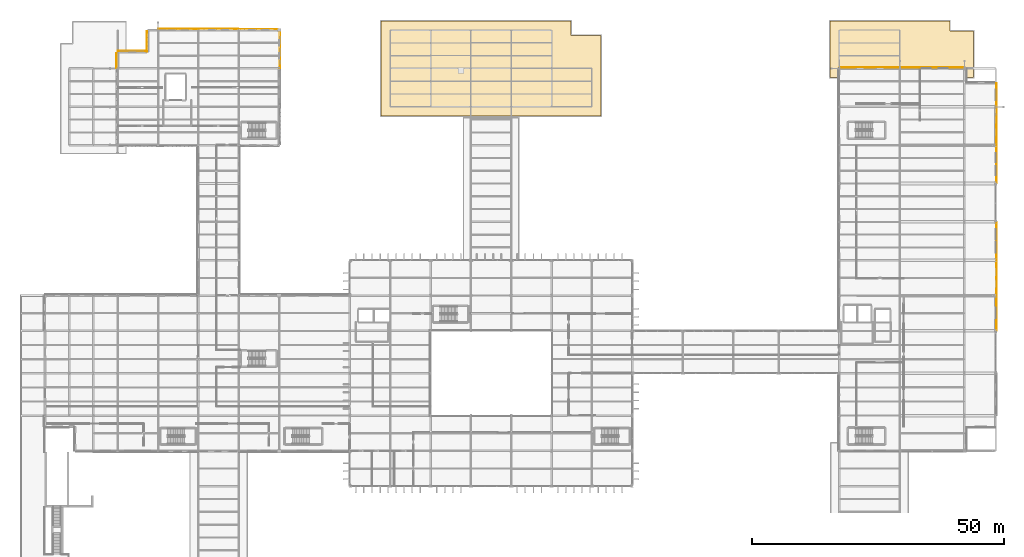
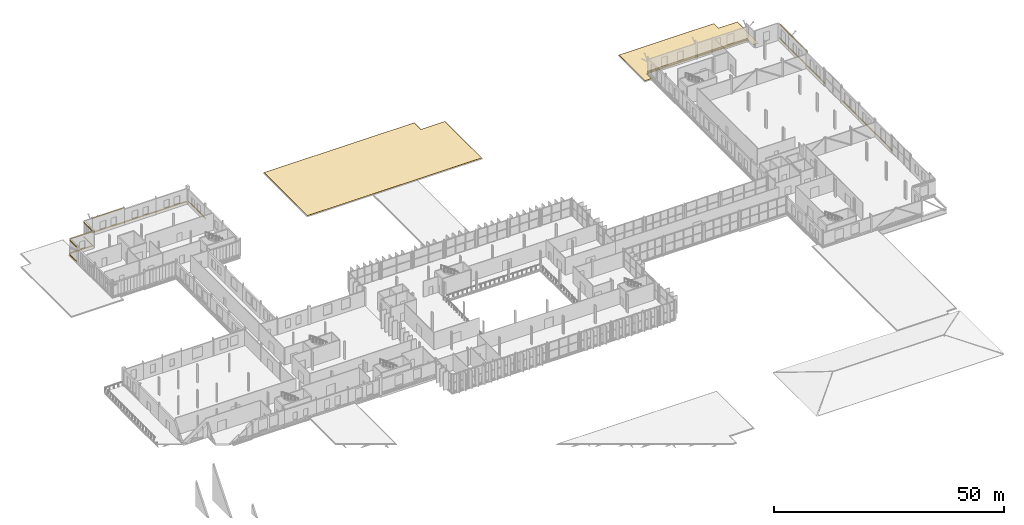
# One storey, part 120 of 120: 23 coverings.
"""IFC4 building model written with IfcOpenShell, lengths in metres."""

import ifcopenshell
import ifcopenshell.guid

model = None  # the IFC model being written
_history = None  # IfcOwnerHistory: only IFC2X3 demands one
_inside = {}  # id of a spatial element -> (the spatial element, [elements in it])
_under = {}  # id of a project, library or spatial element -> (it, [spatial elements below it])
_declared = {}  # id of a project -> (the project, [libraries it declares])
_typed = {}  # id of a type object -> (the type object, [elements of that type])
_made_of = {}  # id of a material, layer set ... -> (it, [elements and type objects made of it])


def new_model(schema):
    """Start an empty IFC model of exactly this schema.

    Asked for "IFC4X3", IfcOpenShell would pick the latest addendum, in which some entities
    have other attributes; the version numbers below select the first issue.
    IFC2X3 requires an IfcOwnerHistory on every rooted entity: one is made here for all.
    """
    global model, _history
    if schema == "IFC4X3":
        model = ifcopenshell.file(schema_version=(4, 3, 0, 0))
    else:
        model = ifcopenshell.file(schema=schema)
    _inside.clear()
    _under.clear()
    _declared.clear()
    _typed.clear()
    _made_of.clear()
    _history = None
    if model.schema == "IFC2X3":
        org = make("IfcOrganization", Name="unknown")
        user = make(
            "IfcPersonAndOrganization",
            ThePerson=make("IfcPerson", FamilyName="unknown"),
            TheOrganization=org,
        )
        app = make(
            "IfcApplication",
            ApplicationDeveloper=org,
            Version="unknown",
            ApplicationFullName="unknown",
            ApplicationIdentifier="unknown",
        )
        _history = make(
            "IfcOwnerHistory",
            OwningUser=user,
            OwningApplication=app,
            ChangeAction="ADDED",
            CreationDate=0,
        )
    return model


def make(cls, **values):
    """One entity of the class cls with the attributes given. An attribute that is None is left unset."""
    return model.create_entity(
        cls, **{name: value for name, value in values.items() if value is not None}
    )


def rooted(cls, **values):
    """An entity with a GlobalId (a new one), such as an element, a storey or a relation."""
    return make(cls, GlobalId=ifcopenshell.guid.new(), OwnerHistory=_history, **values)


def si_unit(unit_type, name, prefix=None):
    """IfcSIUnit, for example si_unit("LENGTHUNIT", "METRE", prefix="MILLI")."""
    return make("IfcSIUnit", UnitType=unit_type, Prefix=prefix, Name=name)


def assignment(units):
    """IfcUnitAssignment: the units of a project."""
    return None if units is None else make("IfcUnitAssignment", Units=units)


def point(xyz):
    """IfcCartesianPoint."""
    return None if xyz is None else make("IfcCartesianPoint", Coordinates=xyz)


def direction(xyz):
    """IfcDirection."""
    return None if xyz is None else make("IfcDirection", DirectionRatios=xyz)


def frame(location, z_axis=None, x_axis=None):
    """IfcAxis2Placement3D, a coordinate frame: its origin and axes. An axis left out is left unset."""
    return make(
        "IfcAxis2Placement3D",
        Location=point(location),
        Axis=direction(z_axis),
        RefDirection=direction(x_axis),
    )


def frame_2d(location, x_axis=None):
    """IfcAxis2Placement2D, a coordinate frame in the plane: its origin and x axis."""
    return make(
        "IfcAxis2Placement2D", Location=point(location), RefDirection=direction(x_axis)
    )


def origin():
    """The frame at (0, 0, 0) with its axes left unset."""
    return frame((0.0, 0.0, 0.0))


def origin_2d():
    """The frame at (0, 0) in the plane with its x axis left unset."""
    return frame_2d((0.0, 0.0))


def place(relative_to, where):
    """IfcLocalPlacement: puts the frame where relative to a parent placement (None: the world)."""
    return make(
        "IfcLocalPlacement", PlacementRelTo=relative_to, RelativePlacement=where
    )


def context(
    kind, dimensions, precision=None, world=None, true_north=None, identifier=None
):
    """IfcGeometricRepresentationContext, for example the 3D "Model" context."""
    return make(
        "IfcGeometricRepresentationContext",
        ContextIdentifier=identifier,
        ContextType=kind,
        CoordinateSpaceDimension=dimensions,
        Precision=precision,
        WorldCoordinateSystem=world,
        TrueNorth=true_north,
    )


def subcontext(parent, identifier, kind, view, scale=None):
    """IfcGeometricRepresentationSubContext, for example "Body" below "Model"."""
    return make(
        "IfcGeometricRepresentationSubContext",
        ContextIdentifier=identifier,
        ContextType=kind,
        ParentContext=parent,
        TargetScale=scale,
        TargetView=view,
    )


def project(units=None, contexts=None):
    """IfcProject with its units and contexts."""
    return rooted(
        "IfcProject",
        Name="project",
        RepresentationContexts=contexts,
        UnitsInContext=assignment(units),
    )


def spatial(cls, under=None, at=None, **own):
    """A site, building, storey or space (cls), placed at a placement, below another one or the project."""
    s = rooted(cls, ObjectPlacement=at, **own)
    if under is not None:
        _under.setdefault(under.id(), (under, []))[1].append(s)
    return s


def polyline(points):
    """IfcPolyline through the points."""
    return make("IfcPolyline", Points=[point(p) for p in points])


def profile(cls, at=None, kind="AREA", **sizes):
    """A parametric profile (cls). Its sizes go by their IFC names, for example OverallWidth=200.0."""
    return make(cls, ProfileType=kind, Position=at, **sizes)


def rectangle(**sizes):
    """IfcRectangleProfileDef."""
    return profile("IfcRectangleProfileDef", **sizes)


def outline(outer, holes=None, kind="AREA"):
    """IfcArbitraryClosedProfileDef: a profile drawn as a closed curve; with holes, ...WithVoids."""
    if holes is None:
        return make("IfcArbitraryClosedProfileDef", ProfileType=kind, OuterCurve=outer)
    return make(
        "IfcArbitraryProfileDefWithVoids",
        ProfileType=kind,
        OuterCurve=outer,
        InnerCurves=holes,
    )


def extrude(swept, where, along, depth):
    """IfcExtrudedAreaSolid: the profile swept, set in the frame where, extruded along a direction by depth."""
    return make(
        "IfcExtrudedAreaSolid",
        SweptArea=swept,
        Position=where,
        ExtrudedDirection=direction(along),
        Depth=depth,
    )


def shape(context_of_items, identifier, shape_type, items):
    """IfcShapeRepresentation: the items that make up one representation, for example the "Body"."""
    return make(
        "IfcShapeRepresentation",
        ContextOfItems=context_of_items,
        RepresentationIdentifier=identifier,
        RepresentationType=shape_type,
        Items=items,
    )


def material(Name=None, Category=None):
    """IfcMaterial."""
    return make("IfcMaterial", Name=Name, Category=Category)


def layer(
    of_material, thickness, ventilated=None, Name=None, Category=None, Priority=None
):
    """IfcMaterialLayer: one layer of a wall or slab, of a material (None: an air gap)."""
    return make(
        "IfcMaterialLayer",
        Material=of_material,
        LayerThickness=thickness,
        IsVentilated=ventilated,
        Name=Name,
        Category=Category,
        Priority=Priority,
    )


def layer_set(layers, Name=None):
    """IfcMaterialLayerSet."""
    return make("IfcMaterialLayerSet", MaterialLayers=layers, LayerSetName=Name)


def made_of(thing, what):
    """Note that an element or type object is made of a material, layer set ...; save() writes the relation."""
    if what is not None:
        _made_of.setdefault(what.id(), (what, []))[1].append(thing)
    return thing


def type_object(cls, material=None, **own):
    """A type object (cls), such as IfcWallType, which elements share."""
    return made_of(rooted(cls, **own), material)


def element(
    cls,
    number,
    at=None,
    inside=None,
    cuts=None,
    type_object=None,
    material=None,
    context=None,
    identifier="Body",
    shape_type=None,
    held_by="IfcProductDefinitionShape",
    body=None,
    shapes=None,
    **own,
):
    """One element of the class cls, such as IfcWall. Its Tag is "e" and its number.

    at: its placement. inside: the storey or other place that contains it. cuts: it is an
    opening in that element (IfcRelVoidsElement). A single representation is given by context,
    identifier, shape_type and body (its items); several are given by shapes. held_by: the class
    of the entity that holds the representations. save() writes the other relations.
    """
    e = rooted(cls, Tag="e%d" % number, ObjectPlacement=at, **own)
    if body is not None:
        shapes = [shape(context, identifier, shape_type, body)]
    if shapes is not None:
        e.Representation = make(held_by, Representations=shapes)
    if inside is not None:
        _inside.setdefault(inside.id(), (inside, []))[1].append(e)
    if cuts is not None:
        rooted(
            "IfcRelVoidsElement", RelatingBuildingElement=cuts, RelatedOpeningElement=e
        )
    if type_object is not None:
        _typed.setdefault(type_object.id(), (type_object, []))[1].append(e)
    return made_of(e, material)


def aggregate(whole, parts):
    """IfcRelAggregates: a whole, such as a stair, and the parts it consists of."""
    return rooted("IfcRelAggregates", RelatingObject=whole, RelatedObjects=parts)


def save(model, path):
    """Write the relations noted so far, then the file.

    IfcRelAggregates (storeys below a building ...), IfcRelContainedInSpatialStructure (elements
    in a storey), IfcRelDefinesByType, IfcRelAssociatesMaterial and IfcRelDeclares: one each for
    every whole, place, type object, material and project.
    """
    for whole, parts in _under.values():
        aggregate(whole, parts)
    for where, things in _inside.values():
        rooted(
            "IfcRelContainedInSpatialStructure",
            RelatedElements=things,
            RelatingStructure=where,
        )
    for kind, things in _typed.values():
        rooted("IfcRelDefinesByType", RelatedObjects=things, RelatingType=kind)
    for what, things in _made_of.values():
        rooted("IfcRelAssociatesMaterial", RelatedObjects=things, RelatingMaterial=what)
    for by, libraries in _declared.values():
        rooted("IfcRelDeclares", RelatingContext=by, RelatedDefinitions=libraries)
    model.write(path)


model = new_model("IFC4")

# Units and contexts
model_context = context("Model", 3, precision=1e-05, world=origin(), true_north=direction((0.0, 1.0)))
body_context = subcontext(model_context, "Body", "Model", "MODEL_VIEW")
ifc_project = project(units=[si_unit("LENGTHUNIT", "METRE"), si_unit("AREAUNIT", "SQUARE_METRE"), si_unit("VOLUMEUNIT", "CUBIC_METRE"), si_unit("PLANEANGLEUNIT", "RADIAN"), si_unit("MASSUNIT", "GRAM", prefix="KILO")], contexts=[model_context])

# Site, building, storey
site_placement = place(None, origin())
site = spatial("IfcSite", under=ifc_project, at=site_placement, CompositionType="ELEMENT")
building_placement = place(site_placement, origin())
building = spatial("IfcBuilding", under=site, at=building_placement, Name="Vekula Escarpment Museum", CompositionType="ELEMENT")
storey_placement = place(building_placement, frame((0.0, 0.0, 13.199951171875)))
storey = spatial("IfcBuildingStorey", under=building, at=storey_placement, Name="L03", CompositionType="ELEMENT", Elevation=13.199951171875)

# Coverings
ifc_material_1 = material(Name="Polychrome limestone almasik string-course band", Category="masonry")
ifc_layer_1 = layer(ifc_material_1, 0.06005859375)
ifc_layer_set_1 = layer_set([ifc_layer_1], Name="Polychrome limestone almasik string-course band")
covering_type_1 = type_object("IfcCoveringType", Name="COV-ALM-BAND", PredefinedType="CLADDING", material=ifc_layer_set_1)
for number, where, z_axis, x_axis, name in (
    (1, (198.166015625, 79.89990234375, 0.41015625), (0.0, 0.0, 1.0), (0.0, 1.0, 0.0), "Almasik Stone String Course L03-0517"),
    (2, (198.166015625, 86.89990234375, 0.41015625), (0.0, 0.0, 1.0), (0.0, 1.0, 0.0), "Almasik Stone String Course L03-0518"),
):
    element("IfcCovering", number, at=place(storey_placement, frame(where, z_axis=z_axis, x_axis=x_axis)), inside=storey, type_object=covering_type_1, Name=name, PredefinedType="CLADDING", context=body_context, shape_type="SweptSolid", body=[
        extrude(rectangle(XDim=6.8798828125, YDim=0.06005859375, at=origin_2d()), origin(), (0.0, 0.0, 1.0), 0.219970703125),
    ])
for number, where, z_axis, x_axis, name in (
    (3, (198.166015625, 94.199951171875, 0.41015625), (0.0, 0.0, 1.0), (0.0, 1.0, 0.0), "Almasik Stone String Course L03-0519"),
    (4, (198.166015625, 109.39990234375, 0.41015625), (0.0, 0.0, 1.0), (0.0, 1.0, 0.0), "Almasik Stone String Course L03-0520"),
    (5, (198.166015625, 117.0, 0.41015625), (0.0, 0.0, 1.0), (0.0, 1.0, 0.0), "Almasik Stone String Course L03-0521"),
    (6, (198.166015625, 117.0, 4.22998046875), (0.0, 0.0, 1.0), (0.0, 1.0, 0.0), "Almasik Stone String Course L03-0522"),
):
    element("IfcCovering", number, at=place(storey_placement, frame(where, z_axis=z_axis, x_axis=x_axis)), inside=storey, type_object=covering_type_1, Name=name, PredefinedType="CLADDING", context=body_context, shape_type="SweptSolid", body=[
        extrude(rectangle(XDim=7.47998046875, YDim=0.06005859375, at=origin_2d()), origin(), (0.0, 0.0, 1.0), 0.219970703125),
    ])
for number, where, z_axis, x_axis, name in (
    (7, (198.166015625, 123.156005859375, 0.41015625), (0.0, 0.0, 1.0), (0.0, 1.0, 0.0), "Almasik Stone String Course L03-0523"),
    (8, (198.166015625, 123.156005859375, 4.22998046875), (0.0, 0.0, 1.0), (0.0, 1.0, 0.0), "Almasik Stone String Course L03-0524"),
):
    element("IfcCovering", number, at=place(storey_placement, frame(where, z_axis=z_axis, x_axis=x_axis)), inside=storey, type_object=covering_type_1, Name=name, PredefinedType="CLADDING", context=body_context, shape_type="SweptSolid", body=[
        extrude(rectangle(XDim=4.592041015625, YDim=0.06005859375, at=origin_2d()), origin(), (0.0, 0.0, 1.0), 0.219970703125),
    ])
covering_1_placement = place(storey_placement, frame((185.48291015625, 128.56591796875, 0.41015625), z_axis=(0.0, 0.0, 1.0), x_axis=(1.0, 0.0, 0.0)))
element("IfcCovering", 9, at=covering_1_placement, inside=storey, type_object=covering_type_1, Name="Almasik Stone String Course L03-0528", PredefinedType="CLADDING", context=body_context, shape_type="SweptSolid", body=[
    extrude(rectangle(XDim=12.845947265625, YDim=0.06005859375, at=origin_2d()), origin(), (0.0, 0.0, 1.0), 0.219970703125),
])
covering_2_placement = place(storey_placement, frame((173.0, 128.56591796875, 0.41015625), z_axis=(0.0, 0.0, 1.0), x_axis=(1.0, 0.0, 0.0)))
element("IfcCovering", 10, at=covering_2_placement, inside=storey, type_object=covering_type_1, Name="Almasik Stone String Course L03-0529", PredefinedType="CLADDING", context=body_context, shape_type="SweptSolid", body=[
    extrude(rectangle(XDim=11.8798828125, YDim=0.06005859375, at=origin_2d()), origin(), (0.0, 0.0, 1.0), 0.219970703125),
])
covering_3_placement = place(storey_placement, frame((56.18603515625, 132.199951171875, 0.41015625), z_axis=(0.0, 0.0, 1.0), x_axis=(0.0, 1.0, 0.0)))
element("IfcCovering", 11, at=covering_3_placement, inside=storey, type_object=covering_type_1, Name="Almasik Stone String Course L03-0546", PredefinedType="CLADDING", context=body_context, shape_type="SweptSolid", body=[
    extrude(rectangle(XDim=7.47998046875, YDim=0.06005859375, at=origin_2d()), origin(), (0.0, 0.0, 1.0), 0.219970703125),
])
covering_4_placement = place(storey_placement, frame((51.91796875, 136.176025390625, 0.41015625), z_axis=(0.0, 0.0, 1.0), x_axis=(1.0, 0.0, 0.0)))
element("IfcCovering", 12, at=covering_4_placement, inside=storey, type_object=covering_type_1, Name="Almasik Stone String Course L03-0547", PredefinedType="CLADDING", context=body_context, shape_type="SweptSolid", body=[
    extrude(rectangle(XDim=7.716064453125, YDim=0.06005859375, at=origin_2d()), origin(), (0.0, 0.0, 1.0), 0.219970703125),
])
for number, where, z_axis, x_axis, name in (
    (13, (44.0, 136.216064453125, 0.41015625), (0.0, 0.0, 1.0), (1.0, 0.0, 0.0), "Almasik Stone String Course L03-0548"),
    (14, (36.0, 136.200927734375, 0.41015625), (0.0, 0.0, 1.0), (1.0, 0.0, 0.0), "Almasik Stone String Course L03-0549"),
    (15, (36.0, 136.200927734375, 4.22998046875), (0.0, 0.0, 1.0), (1.0, 0.0, 0.0), "Almasik Stone String Course L03-0550"),
):
    element("IfcCovering", number, at=place(storey_placement, frame(where, z_axis=z_axis, x_axis=x_axis)), inside=storey, type_object=covering_type_1, Name=name, PredefinedType="CLADDING", context=body_context, shape_type="SweptSolid", body=[
        extrude(rectangle(XDim=7.8798828125, YDim=0.06005859375, at=origin_2d()), origin(), (0.0, 0.0, 1.0), 0.219970703125),
    ])
for number, where, z_axis, x_axis, name in (
    (16, (29.823974609375, 133.751953125, 0.41015625), (0.0, 0.0, 1.0), (0.0, 1.0, 0.0), "Almasik Stone String Course L03-0551"),
    (17, (29.823974609375, 133.751953125, 4.22998046875), (0.0, 0.0, 1.0), (0.0, 1.0, 0.0), "Almasik Stone String Course L03-0552"),
):
    element("IfcCovering", number, at=place(storey_placement, frame(where, z_axis=z_axis, x_axis=x_axis)), inside=storey, type_object=covering_type_1, Name=name, PredefinedType="CLADDING", context=body_context, shape_type="SweptSolid", body=[
        extrude(rectangle(XDim=4.048095703125, YDim=0.06005859375, at=origin_2d()), origin(), (0.0, 0.0, 1.0), 0.219970703125),
    ])
for number, where, z_axis, x_axis, name in (
    (18, (26.923095703125, 131.884033203125, 0.41015625), (0.0, 0.0, 1.0), (1.0, 0.0, 0.0), "Almasik Stone String Course L03-0553"),
    (19, (26.923095703125, 131.884033203125, 4.22998046875), (0.0, 0.0, 1.0), (1.0, 0.0, 0.0), "Almasik Stone String Course L03-0554"),
):
    element("IfcCovering", number, at=place(storey_placement, frame(where, z_axis=z_axis, x_axis=x_axis)), inside=storey, type_object=covering_type_1, Name=name, PredefinedType="CLADDING", context=body_context, shape_type="SweptSolid", body=[
        extrude(rectangle(XDim=5.72607421875, YDim=0.06005859375, at=origin_2d()), origin(), (0.0, 0.0, 1.0), 0.219970703125),
    ])
for number, where, z_axis, x_axis, name in (
    (20, (23.799072265625, 129.93701171875, 0.41015625), (0.0, 0.0, 1.0), (0.0, 1.0, 0.0), "Almasik Stone String Course L03-0555"),
    (21, (23.799072265625, 129.93701171875, 4.22998046875), (0.0, 0.0, 1.0), (0.0, 1.0, 0.0), "Almasik Stone String Course L03-0556"),
):
    element("IfcCovering", number, at=place(storey_placement, frame(where, z_axis=z_axis, x_axis=x_axis)), inside=storey, type_object=covering_type_1, Name=name, PredefinedType="CLADDING", context=body_context, shape_type="SweptSolid", body=[
        extrude(rectangle(XDim=2.9541015625, YDim=0.06005859375, at=origin_2d()), origin(), (0.0, 0.0, 1.0), 0.219970703125),
    ])
ifc_material_2 = material(Name="Standing-seam patinated copper roofing", Category="metal")
ifc_layer_2 = layer(ifc_material_2, 0.06005859375)
ifc_layer_set_2 = layer_set([ifc_layer_2], Name="Standing-seam patinated copper roofing")
covering_type_2 = type_object("IfcCoveringType", Name="COV-ROOF-COPPER", PredefinedType="ROOFING", material=ifc_layer_set_2)
covering_5_placement = place(storey_placement, origin())
element("IfcCovering", 22, at=covering_5_placement, inside=storey, type_object=covering_type_2, Name="Overhanging Eave Roof Covering R-L03-V2N", PredefinedType="ROOFING", context=body_context, shape_type="SweptSolid", body=[
    extrude(outline(polyline([(76.179931640625, 137.820068359375), (113.820068359375, 137.820068359375), (113.820068359375, 134.931884765625), (119.820068359375, 134.931884765625), (119.820068359375, 118.97998046875), (76.179931640625, 118.97998046875), (76.179931640625, 137.820068359375)])), origin(), (0.0, 0.0, 1.0), 0.06005859375),
])
covering_6_placement = place(storey_placement, origin())
element("IfcCovering", 23, at=covering_6_placement, inside=storey, type_object=covering_type_2, Name="Overhanging Eave Roof Covering R-L03-V3N0", PredefinedType="ROOFING", context=body_context, shape_type="SweptSolid", body=[
    extrude(outline(polyline([(165.179931640625, 137.820068359375), (188.907958984375, 137.820068359375), (188.907958984375, 135.820068359375), (193.6201171875, 135.820068359375), (193.6201171875, 126.580078125), (192.320068359375, 126.580078125), (192.320068359375, 128.610107421875), (166.7900390625, 128.610107421875), (166.7900390625, 126.580078125), (165.179931640625, 126.580078125), (165.179931640625, 137.820068359375)])), origin(), (0.0, 0.0, 1.0), 0.06005859375),
])

save(model, "model.ifc")
